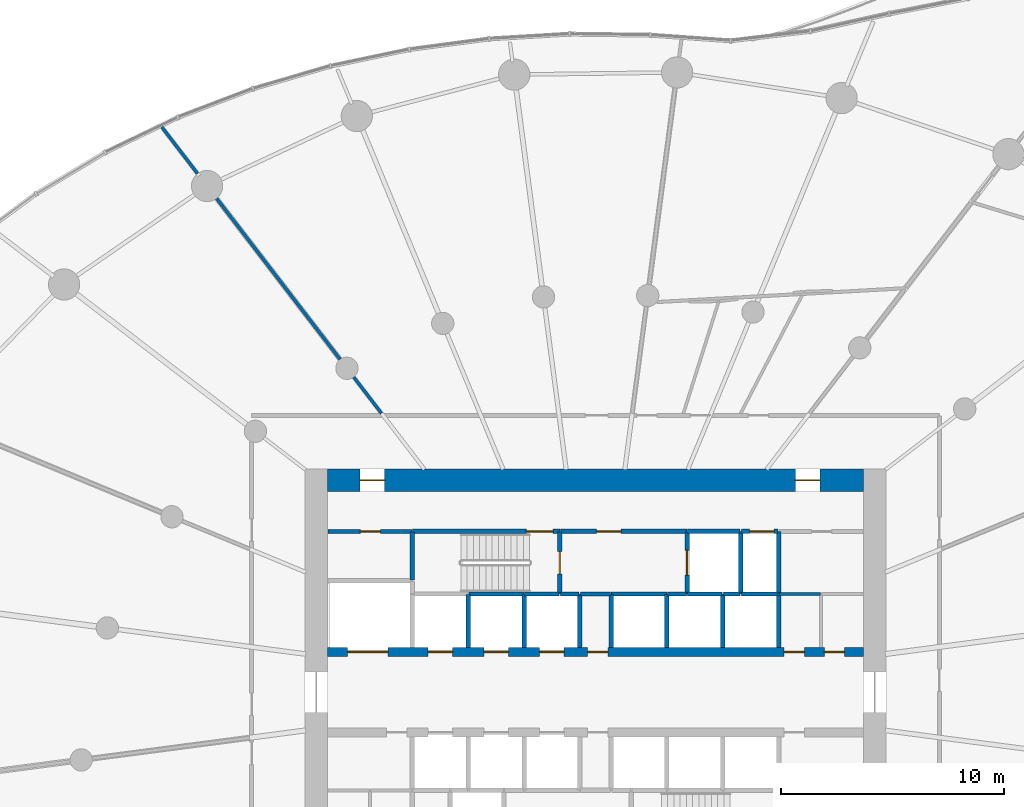
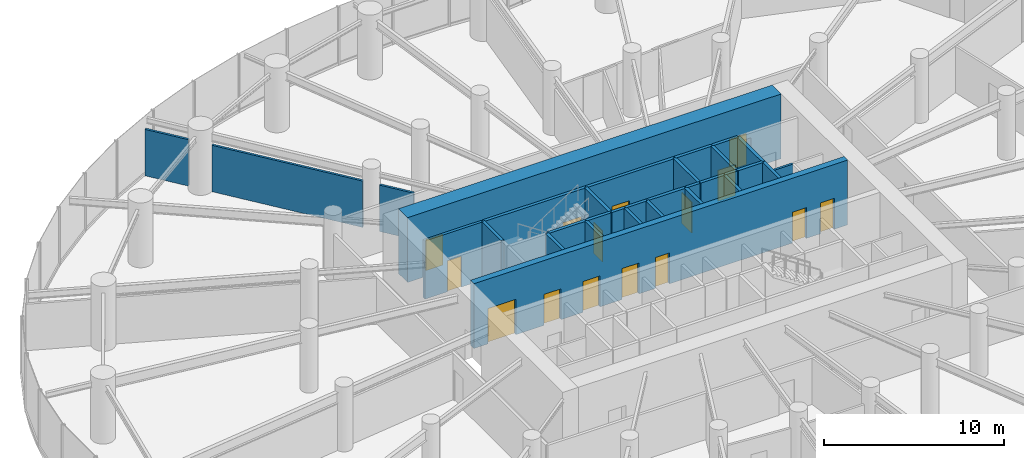
# One storey, part 14 of 21: 32 walls, 15 doors, 15 openings.
"""IFC4 building model written with IfcOpenShell, lengths in metres."""

from ifc_helpers import new_model, si_unit, direction, frame, frame_2d, origin, place, context, subcontext, project, spatial, rectangle, extrude, source, transform, mapped, material, layer, layer_set, type_object, element, fill, save


model = new_model("IFC4")

# Units and contexts
model_context = context("Model", 3, precision=1e-05, world=origin(), true_north=direction((0.0, 1.0)))
body_context = subcontext(model_context, "Body", "Model", "MODEL_VIEW")
ifc_project = project(units=[si_unit("LENGTHUNIT", "METRE"), si_unit("AREAUNIT", "SQUARE_METRE"), si_unit("VOLUMEUNIT", "CUBIC_METRE"), si_unit("PLANEANGLEUNIT", "RADIAN"), si_unit("MASSUNIT", "GRAM", prefix="KILO")], contexts=[model_context])

# Site, building, storey
site_placement = place(None, origin())
site = spatial("IfcSite", under=ifc_project, at=site_placement, CompositionType="ELEMENT")
building_placement = place(site_placement, origin())
building = spatial("IfcBuilding", under=site, at=building_placement, Name="Spindrift Exchange Tower", CompositionType="ELEMENT")
storey_placement = place(building_placement, frame((0.0, 0.0, 9.39990234375)))
storey = spatial("IfcBuildingStorey", under=building, at=storey_placement, Name="L02", CompositionType="ELEMENT", Elevation=9.39990234375)

# Wall, openings, doors
ifc_material_1 = material(Name="Concrete 80 MPa", Category="concrete")
ifc_layer_1 = layer(ifc_material_1, 1.0)
ifc_layer_set_1 = layer_set([ifc_layer_1], Name="RC Core Wall 1000 Concrete 80 MPa")
wall_type_1 = type_object("IfcWallType", Name="RC Core Wall 1000 Concrete 80 MPa", PredefinedType="SHEAR", material=ifc_layer_set_1)
wall_1_placement = place(storey_placement, frame((64.0, 57.5, 0.0), z_axis=(0.0, 0.0, 1.0), x_axis=(-1.0, 0.0, 0.0)))
wall_1 = element("IfcWall", 1, at=wall_1_placement, inside=storey, type_object=wall_type_1, Name="Core wall N L02", PredefinedType="SHEAR", context=body_context, shape_type="SweptSolid", body=[
    extrude(rectangle(XDim=24.0, YDim=1.0, at=frame_2d((12.0, 0.0))), origin(), (0.0, 0.0, 1.0), 4.400146484375),
])
opening_1_placement = place(wall_1_placement, frame((21.449951171875, 0.0, 0.0)))
opening_1 = element("IfcOpeningElement", 2, at=opening_1_placement, cuts=wall_1, Name="Opening L02-D20", PredefinedType="OPENING", context=body_context, shape_type="SweptSolid", body=[
    extrude(rectangle(XDim=1.10009765625, YDim=2.10009765625, at=frame_2d((0.550048828125, 1.050048828125))), frame((0.0, 0.510009765625, 0.0), z_axis=(0.0, -1.0, 0.0), x_axis=(1.0, 0.0, 0.0)), (0.0, 0.0, 1.0), 1.02001953125),
])
opening_2_placement = place(wall_1_placement, frame((1.949951171875, 0.0, 0.0)))
opening_2 = element("IfcOpeningElement", 3, at=opening_2_placement, cuts=wall_1, Name="Opening L02-D21", PredefinedType="OPENING", context=body_context, shape_type="SweptSolid", body=[
    extrude(rectangle(XDim=1.10009765625, YDim=2.10009765625, at=frame_2d((0.550048828125, 1.050048828125))), frame((0.0, 0.510009765625, 0.0), z_axis=(0.0, -1.0, 0.0), x_axis=(1.0, 0.0, 0.0)), (0.0, 0.0, 1.0), 1.02001953125),
])
ifc_material_2 = material(Name="Steel fire door", Category="steel")
door_type_1 = type_object("IfcDoorType", Name="DR-STAIR-1100", OperationType="NOTDEFINED", PredefinedType="DOOR", material=ifc_material_2)
shared_shape_1 = source(origin(), body_context, "Body", "SweptSolid", [
    extrude(rectangle(XDim=1.10009765625, YDim=2.10009765625, at=frame_2d((0.550048828125, 1.050048828125))), frame((0.0, 0.02490234375, 0.0), z_axis=(0.0, -1.0, 0.0), x_axis=(1.0, 0.0, 0.0)), (0.0, 0.0, 1.0), 0.050048828125),
])
door_1_placement = place(opening_1_placement, origin())
door_1 = element("IfcDoor", 4, at=door_1_placement, inside=storey, type_object=door_type_1, Name="L02 Stair door 20", OperationType="SINGLE_SWING_RIGHT", OverallHeight=2.10009765625, OverallWidth=1.10009765625, PredefinedType="DOOR", context=body_context, shape_type="MappedRepresentation", body=[
    mapped(shared_shape_1, transform((0.0, 0.0, 0.0), scale=1.0)),
])
fill(opening_1, door_1)
door_2_placement = place(opening_2_placement, origin())
door_2 = element("IfcDoor", 5, at=door_2_placement, inside=storey, type_object=door_type_1, Name="L02 Stair door 21", OperationType="SINGLE_SWING_LEFT", OverallHeight=2.10009765625, OverallWidth=1.10009765625, PredefinedType="DOOR", context=body_context, shape_type="MappedRepresentation", body=[
    mapped(shared_shape_1, transform((0.0, 0.0, 0.0), scale=1.0)),
])
fill(opening_2, door_2)

ifc_layer_2 = layer(ifc_material_1, 0.39990234375)
ifc_layer_set_2 = layer_set([ifc_layer_2], Name="RC Spine Wall 400 Concrete 80 MPa")
wall_type_2 = type_object("IfcWallType", Name="RC Spine Wall 400 Concrete 80 MPa", PredefinedType="SHEAR", material=ifc_layer_set_2)
wall_2_placement = place(storey_placement, frame((40.0, 49.800048828125, 0.0), z_axis=(0.0, 0.0, 1.0), x_axis=(1.0, 0.0, 0.0)))
wall_2 = element("IfcWall", 6, at=wall_2_placement, inside=storey, type_object=wall_type_2, Name="Core spine wall N L02", PredefinedType="SHEAR", context=body_context, shape_type="SweptSolid", body=[
    extrude(rectangle(XDim=24.0, YDim=0.39990234375, at=frame_2d((12.0, 0.0))), origin(), (0.0, 0.0, 1.0), 4.400146484375),
])
opening_3_placement = place(wall_2_placement, frame((4.5, 0.0, 0.0)))
opening_3 = element("IfcOpeningElement", 7, at=opening_3_placement, cuts=wall_2, Name="Opening L02-D3", PredefinedType="OPENING", context=body_context, shape_type="SweptSolid", body=[
    extrude(rectangle(XDim=1.10009765625, YDim=2.10009765625, at=frame_2d((0.550048828125, 1.050048828125))), frame((0.0, 0.2099609375, 0.0), z_axis=(0.0, -1.0, 0.0), x_axis=(1.0, 0.0, 0.0)), (0.0, 0.0, 1.0), 0.419921875),
])
opening_4_placement = place(wall_2_placement, frame((7.0, 0.0, 0.0)))
opening_4 = element("IfcOpeningElement", 8, at=opening_4_placement, cuts=wall_2, Name="Opening L02-D4", PredefinedType="OPENING", context=body_context, shape_type="SweptSolid", body=[
    extrude(rectangle(XDim=1.10009765625, YDim=2.10009765625, at=frame_2d((0.550048828125, 1.050048828125))), frame((0.0, 0.2099609375, 0.0), z_axis=(0.0, -1.0, 0.0), x_axis=(1.0, 0.0, 0.0)), (0.0, 0.0, 1.0), 0.419921875),
])
opening_5_placement = place(wall_2_placement, frame((9.5, 0.0, 0.0)))
opening_5 = element("IfcOpeningElement", 9, at=opening_5_placement, cuts=wall_2, Name="Opening L02-D5", PredefinedType="OPENING", context=body_context, shape_type="SweptSolid", body=[
    extrude(rectangle(XDim=1.10009765625, YDim=2.10009765625, at=frame_2d((0.550048828125, 1.050048828125))), frame((0.0, 0.2099609375, 0.0), z_axis=(0.0, -1.0, 0.0), x_axis=(1.0, 0.0, 0.0)), (0.0, 0.0, 1.0), 0.419921875),
])
opening_6_placement = place(wall_2_placement, frame((0.89990234375, 0.0, 0.0)))
opening_6 = element("IfcOpeningElement", 10, at=opening_6_placement, cuts=wall_2, Name="Opening L02-D12", PredefinedType="OPENING", context=body_context, shape_type="SweptSolid", body=[
    extrude(rectangle(XDim=1.800048828125, YDim=2.39990234375, at=frame_2d((0.89990234375, 1.199951171875))), frame((0.0, 0.2099609375, 0.0), z_axis=(0.0, -1.0, 0.0), x_axis=(1.0, 0.0, 0.0)), (0.0, 0.0, 1.0), 0.419921875),
])
opening_7_placement = place(wall_2_placement, frame((20.449951171875, 0.0, 0.0)))
opening_7 = element("IfcOpeningElement", 11, at=opening_7_placement, cuts=wall_2, Name="Opening L02-D49", PredefinedType="OPENING", context=body_context, shape_type="SweptSolid", body=[
    extrude(rectangle(XDim=0.89990234375, YDim=2.10009765625, at=frame_2d((0.449951171875, 1.050048828125))), frame((0.0, 0.2099609375, 0.0), z_axis=(0.0, -1.0, 0.0), x_axis=(1.0, 0.0, 0.0)), (0.0, 0.0, 1.0), 0.419921875),
])
opening_8_placement = place(wall_2_placement, frame((22.25, 0.0, 0.0)))
opening_8 = element("IfcOpeningElement", 12, at=opening_8_placement, cuts=wall_2, Name="Opening L02-D50", PredefinedType="OPENING", context=body_context, shape_type="SweptSolid", body=[
    extrude(rectangle(XDim=0.89990234375, YDim=2.10009765625, at=frame_2d((0.449951171875, 1.050048828125))), frame((0.0, 0.2099609375, 0.0), z_axis=(0.0, -1.0, 0.0), x_axis=(1.0, 0.0, 0.0)), (0.0, 0.0, 1.0), 0.419921875),
])
opening_9_placement = place(wall_2_placement, frame((11.64990234375, 0.0, 0.0)))
opening_9 = element("IfcOpeningElement", 13, at=opening_9_placement, cuts=wall_2, Name="Opening L02-D55", PredefinedType="OPENING", context=body_context, shape_type="SweptSolid", body=[
    extrude(rectangle(XDim=0.89990234375, YDim=2.10009765625, at=frame_2d((0.449951171875, 1.050048828125))), frame((0.0, 0.2099609375, 0.0), z_axis=(0.0, -1.0, 0.0), x_axis=(1.0, 0.0, 0.0)), (0.0, 0.0, 1.0), 0.419921875),
])
ifc_material_3 = material(Name="Stainless steel landing door", Category="steel")
door_type_2 = type_object("IfcDoorType", Name="DR-LANDING-1100-SL", OperationType="DOUBLE_DOOR_SLIDING", PredefinedType="USERDEFINED", material=ifc_material_3)
shared_shape_2 = source(origin(), body_context, "Body", "SweptSolid", [
    extrude(rectangle(XDim=1.10009765625, YDim=2.10009765625, at=frame_2d((0.550048828125, 1.050048828125))), frame((0.0, 0.02490234375, 0.0), z_axis=(0.0, -1.0, 0.0), x_axis=(1.0, 0.0, 0.0)), (0.0, 0.0, 1.0), 0.050048828125),
])
door_3_placement = place(opening_3_placement, origin())
door_3 = element("IfcDoor", 14, at=door_3_placement, inside=storey, type_object=door_type_2, Name="L02 Lift landing door 3", ObjectType="LANDING DOOR", OperationType="DOUBLE_DOOR_SLIDING", OverallHeight=2.10009765625, OverallWidth=1.10009765625, PredefinedType="USERDEFINED", context=body_context, shape_type="MappedRepresentation", body=[
    mapped(shared_shape_2, transform((0.0, 0.0, 0.0), scale=1.0)),
])
fill(opening_3, door_3)
door_4_placement = place(opening_4_placement, origin())
door_4 = element("IfcDoor", 15, at=door_4_placement, inside=storey, type_object=door_type_2, Name="L02 Lift landing door 4", ObjectType="LANDING DOOR", OperationType="DOUBLE_DOOR_SLIDING", OverallHeight=2.10009765625, OverallWidth=1.10009765625, PredefinedType="USERDEFINED", context=body_context, shape_type="MappedRepresentation", body=[
    mapped(shared_shape_2, transform((0.0, 0.0, 0.0), scale=1.0)),
])
fill(opening_4, door_4)
door_5_placement = place(opening_5_placement, origin())
door_5 = element("IfcDoor", 16, at=door_5_placement, inside=storey, type_object=door_type_2, Name="L02 Lift landing door 5", ObjectType="LANDING DOOR", OperationType="DOUBLE_DOOR_SLIDING", OverallHeight=2.10009765625, OverallWidth=1.10009765625, PredefinedType="USERDEFINED", context=body_context, shape_type="MappedRepresentation", body=[
    mapped(shared_shape_2, transform((0.0, 0.0, 0.0), scale=1.0)),
])
fill(opening_5, door_5)
door_type_3 = type_object("IfcDoorType", Name="DR-LANDING-1800-SL", OperationType="DOUBLE_DOOR_SLIDING", PredefinedType="USERDEFINED", material=ifc_material_3)
shared_shape_3 = source(origin(), body_context, "Body", "SweptSolid", [
    extrude(rectangle(XDim=1.800048828125, YDim=2.39990234375, at=frame_2d((0.89990234375, 1.199951171875))), frame((0.0, 0.02490234375, 0.0), z_axis=(0.0, -1.0, 0.0), x_axis=(1.0, 0.0, 0.0)), (0.0, 0.0, 1.0), 0.050048828125),
])
door_6_placement = place(opening_6_placement, origin())
door_6 = element("IfcDoor", 17, at=door_6_placement, inside=storey, type_object=door_type_3, Name="L02 Lift landing door 12", ObjectType="LANDING DOOR", OperationType="DOUBLE_DOOR_SLIDING", OverallHeight=2.39990234375, OverallWidth=1.800048828125, PredefinedType="USERDEFINED", context=body_context, shape_type="MappedRepresentation", body=[
    mapped(shared_shape_3, transform((0.0, 0.0, 0.0), scale=1.0)),
])
fill(opening_6, door_6)
ifc_material_4 = material(Name="Steel access door", Category="steel")
door_type_4 = type_object("IfcDoorType", Name="DR-RISER-900", OperationType="NOTDEFINED", PredefinedType="DOOR", material=ifc_material_4)
shared_shape_4 = source(origin(), body_context, "Body", "SweptSolid", [
    extrude(rectangle(XDim=0.89990234375, YDim=2.10009765625, at=frame_2d((0.449951171875, 1.050048828125))), frame((0.0, 0.02490234375, 0.0), z_axis=(0.0, -1.0, 0.0), x_axis=(1.0, 0.0, 0.0)), (0.0, 0.0, 1.0), 0.050048828125),
])
door_7_placement = place(opening_7_placement, origin())
door_7 = element("IfcDoor", 18, at=door_7_placement, inside=storey, type_object=door_type_4, Name="L02 Riser door 49", OperationType="SINGLE_SWING_LEFT", OverallHeight=2.10009765625, OverallWidth=0.89990234375, PredefinedType="DOOR", context=body_context, shape_type="MappedRepresentation", body=[
    mapped(shared_shape_4, transform((0.0, 0.0, 0.0), scale=1.0)),
])
fill(opening_7, door_7)
door_8_placement = place(opening_8_placement, origin())
door_8 = element("IfcDoor", 19, at=door_8_placement, inside=storey, type_object=door_type_4, Name="L02 Riser door 50", OperationType="SINGLE_SWING_RIGHT", OverallHeight=2.10009765625, OverallWidth=0.89990234375, PredefinedType="DOOR", context=body_context, shape_type="MappedRepresentation", body=[
    mapped(shared_shape_4, transform((0.0, 0.0, 0.0), scale=1.0)),
])
fill(opening_8, door_8)
door_9_placement = place(opening_9_placement, origin())
door_9 = element("IfcDoor", 20, at=door_9_placement, inside=storey, type_object=door_type_4, Name="L02 Riser door 55", OperationType="SINGLE_SWING_LEFT", OverallHeight=2.10009765625, OverallWidth=0.89990234375, PredefinedType="DOOR", context=body_context, shape_type="MappedRepresentation", body=[
    mapped(shared_shape_4, transform((0.0, 0.0, 0.0), scale=1.0)),
])
fill(opening_9, door_9)

# Wall, opening, door
ifc_material_5 = material(Name="Fire-rated plasterboard partition", Category="gypsum")
ifc_layer_3 = layer(ifc_material_5, 0.179931640625)
ifc_layer_set_3 = layer_set([ifc_layer_3], Name="W-CORR-180")
wall_type_3 = type_object("IfcWallType", Name="W-CORR-180", PredefinedType="PARTITIONING", material=ifc_layer_set_3)
wall_3_placement = place(storey_placement, frame((43.77001953125, 55.199951171875, 0.0), z_axis=(0.0, 0.0, 1.0), x_axis=(-1.0, 0.0, 0.0)))
wall_3 = element("IfcWall", 21, at=wall_3_placement, inside=storey, type_object=wall_type_3, Name="L02 Partition wall 66", PredefinedType="PARTITIONING", context=body_context, shape_type="SweptSolid", body=[
    extrude(rectangle(XDim=3.75, YDim=0.179931640625, at=frame_2d((1.875, 0.0))), origin(), (0.0, 0.0, 1.0), 3.9501953125),
])
opening_10_placement = place(wall_3_placement, frame((1.39990234375, 0.0, 0.0)))
opening_10 = element("IfcOpeningElement", 22, at=opening_10_placement, cuts=wall_3, Name="Opening L02-D45", PredefinedType="OPENING", context=body_context, shape_type="SweptSolid", body=[
    extrude(rectangle(XDim=0.89990234375, YDim=2.10009765625, at=frame_2d((0.449951171875, 1.050048828125))), frame((0.0, 0.099853515625, 0.0), z_axis=(0.0, -1.0, 0.0), x_axis=(1.0, 0.0, 0.0)), (0.0, 0.0, 1.0), 0.199951171875),
])
door_10_placement = place(opening_10_placement, origin())
door_10 = element("IfcDoor", 23, at=door_10_placement, inside=storey, type_object=door_type_4, Name="L02 Riser door 45", OperationType="SINGLE_SWING_LEFT", OverallHeight=2.10009765625, OverallWidth=0.89990234375, PredefinedType="DOOR", context=body_context, shape_type="MappedRepresentation", body=[
    mapped(shared_shape_4, transform((0.0, 0.0, 0.0), scale=1.0)),
])
fill(opening_10, door_10)

# Walls
ifc_layer_4 = layer(ifc_material_5, 0.139892578125)
ifc_layer_set_4 = layer_set([ifc_layer_4], Name="W-PART-140")
wall_type_4 = type_object("IfcWallType", Name="W-PART-140", PredefinedType="PARTITIONING", material=ifc_layer_set_4)
wall_4_placement = place(storey_placement, frame((62.070068359375, 52.39990234375, 0.0), z_axis=(0.0, 0.0, 1.0), x_axis=(-1.0, 0.0, 0.0)))
element("IfcWall", 24, at=wall_4_placement, inside=storey, type_object=wall_type_4, Name="L02 Partition wall 124", PredefinedType="PARTITIONING", context=body_context, shape_type="SweptSolid", body=[
    extrude(rectangle(XDim=1.840087890625, YDim=0.139892578125, at=frame_2d((0.919921875, 0.0))), origin(), (0.0, 0.0, 1.0), 3.150146484375),
])
ifc_layer_5 = layer(ifc_material_5, 0.139892578125)
ifc_layer_set_5 = layer_set([ifc_layer_5], Name="W-PLANT-140")
wall_type_5 = type_object("IfcWallType", Name="W-PLANT-140", PredefinedType="PARTITIONING", material=ifc_layer_set_5)
wall_5_placement = place(storey_placement, frame((40.55908203125, 62.91015625, 0.0), z_axis=(0.0, 0.0, 1.0), x_axis=(-0.608770769454, 0.793346173028, 0.0)))
element("IfcWall", 25, at=wall_5_placement, inside=storey, type_object=wall_type_5, Name="L02 Partition wall 76", PredefinedType="PARTITIONING", context=body_context, shape_type="SweptSolid", body=[
    extrude(rectangle(XDim=9.0791015625, YDim=0.139892578125, at=frame_2d((4.53955078125, 0.0))), origin(), (0.0, 0.0, 1.0), 3.150146484375),
])
wall_6_placement = place(storey_placement, frame((34.1748046875, 71.23046875, 0.0), z_axis=(0.0, 0.0, 1.0), x_axis=(-0.608811983243, 0.793314546104, 0.0)))
element("IfcWall", 26, at=wall_6_placement, inside=storey, type_object=wall_type_5, Name="L02 Partition wall 116", PredefinedType="PARTITIONING", context=body_context, shape_type="SweptSolid", body=[
    extrude(rectangle(XDim=2.626708984375, YDim=0.139892578125, at=frame_2d((1.3134765625, 0.0))), origin(), (0.0, 0.0, 1.0), 3.150146484375),
])
wall_7_placement = place(storey_placement, frame((42.416015625, 60.489990234375, 0.0), z_axis=(0.0, 0.0, 1.0), x_axis=(-0.608727763541, 0.793379171578, 0.0)))
element("IfcWall", 27, at=wall_7_placement, inside=storey, type_object=wall_type_5, Name="L02 Partition wall 119", PredefinedType="PARTITIONING", context=body_context, shape_type="SweptSolid", body=[
    extrude(rectangle(XDim=2.04150390625, YDim=0.139892578125, at=frame_2d((1.020751953125, 0.0))), origin(), (0.0, 0.0, 1.0), 3.150146484375),
])

# Wall, opening, door
ifc_material_6 = material(Name="Concrete 40 MPa", Category="concrete")
ifc_layer_6 = layer(ifc_material_6, 0.199951171875)
ifc_layer_set_6 = layer_set([ifc_layer_6], Name="W-SHAFT-200")
wall_type_6 = type_object("IfcWallType", Name="W-SHAFT-200", PredefinedType="SOLIDWALL", material=ifc_layer_set_6)
wall_8_placement = place(storey_placement, frame((56.10009765625, 55.169921875, 0.0), z_axis=(0.0, 0.0, 1.0), x_axis=(0.0, -1.0, 0.0)))
wall_8 = element("IfcWall", 28, at=wall_8_placement, inside=storey, type_object=wall_type_6, Name="L02 Shaft wall 14", PredefinedType="SOLIDWALL", context=body_context, shape_type="SweptSolid", body=[
    extrude(rectangle(XDim=2.77001953125, YDim=0.199951171875, at=frame_2d((1.385009765625, 0.0))), origin(), (0.0, 0.0, 1.0), 3.9501953125),
])
opening_11_placement = place(wall_8_placement, frame((0.820068359375, 0.0, 0.0)))
opening_11 = element("IfcOpeningElement", 29, at=opening_11_placement, cuts=wall_8, Name="Opening L02-D9", PredefinedType="OPENING", context=body_context, shape_type="SweptSolid", body=[
    extrude(rectangle(XDim=1.10009765625, YDim=2.10009765625, at=frame_2d((0.550048828125, 1.050048828125))), frame((0.0, 0.10986328125, 0.0), z_axis=(0.0, -1.0, 0.0), x_axis=(1.0, 0.0, 0.0)), (0.0, 0.0, 1.0), 0.219970703125),
])
door_11_placement = place(opening_11_placement, origin())
door_11 = element("IfcDoor", 30, at=door_11_placement, inside=storey, type_object=door_type_2, Name="L02 Lift landing door 9", ObjectType="LANDING DOOR", OperationType="DOUBLE_DOOR_SLIDING", OverallHeight=2.10009765625, OverallWidth=1.10009765625, PredefinedType="USERDEFINED", context=body_context, shape_type="MappedRepresentation", body=[
    mapped(shared_shape_2, transform((0.0, 0.0, 0.0), scale=1.0)),
])
fill(opening_11, door_11)

# Walls
for number, where, z_axis, x_axis, name in (
    (31, (58.5, 52.39990234375, 0.0), (0.0, 0.0, 1.0), (0.0, 1.0, 0.0), "L02 Shaft wall 15"),
    (32, (60.199951171875, 52.39990234375, 0.0), (0.0, 0.0, 1.0), (0.0, 1.0, 0.0), "L02 Shaft wall 16"),
):
    element("IfcWall", number, at=place(storey_placement, frame(where, z_axis=z_axis, x_axis=x_axis)), inside=storey, type_object=wall_type_6, Name=name, PredefinedType="SOLIDWALL", context=body_context, shape_type="SweptSolid", body=[
        extrude(rectangle(XDim=2.800048828125, YDim=0.199951171875, at=frame_2d((1.39990234375, 0.0))), origin(), (0.0, 0.0, 1.0), 3.9501953125),
    ])
wall_9_placement = place(storey_placement, frame((55.199951171875, 52.39990234375, 0.0), z_axis=(0.0, 0.0, 1.0), x_axis=(-1.0, 0.0, 0.0)))
element("IfcWall", 33, at=wall_9_placement, inside=storey, type_object=wall_type_6, Name="L02 Shaft wall 22", PredefinedType="SOLIDWALL", context=body_context, shape_type="SweptSolid", body=[
    extrude(rectangle(XDim=2.5, YDim=0.199951171875, at=frame_2d((1.25, 0.0))), origin(), (0.0, 0.0, 1.0), 3.9501953125),
])
wall_10_placement = place(storey_placement, frame((58.469970703125, 55.199951171875, 0.0), z_axis=(0.0, 0.0, 1.0), x_axis=(-1.0, 0.0, 0.0)))
element("IfcWall", 34, at=wall_10_placement, inside=storey, type_object=wall_type_6, Name="L02 Shaft wall 26", PredefinedType="SOLIDWALL", context=body_context, shape_type="SweptSolid", body=[
    extrude(rectangle(XDim=2.340087890625, YDim=0.199951171875, at=frame_2d((1.169921875, 0.0))), origin(), (0.0, 0.0, 1.0), 3.9501953125),
])
wall_11_placement = place(storey_placement, frame((51.300048828125, 50.010009765625, 0.0), z_axis=(0.0, 0.0, 1.0), x_axis=(0.0, 1.0, 0.0)))
element("IfcWall", 35, at=wall_11_placement, inside=storey, type_object=wall_type_6, Name="L02 Shaft wall 34", PredefinedType="SOLIDWALL", context=body_context, shape_type="SweptSolid", body=[
    extrude(rectangle(XDim=2.389892578125, YDim=0.199951171875, at=frame_2d((1.19482421875, 0.0))), origin(), (0.0, 0.0, 1.0), 3.9501953125),
])
for number, where, z_axis, x_axis, name in (
    (36, (52.699951171875, 52.3701171875, 0.0), (0.0, 0.0, 1.0), (0.0, -1.0, 0.0), "L02 Shaft wall 36"),
    (37, (55.199951171875, 50.010009765625, 0.0), (0.0, 0.0, 1.0), (0.0, 1.0, 0.0), "L02 Shaft wall 38"),
):
    element("IfcWall", number, at=place(storey_placement, frame(where, z_axis=z_axis, x_axis=x_axis)), inside=storey, type_object=wall_type_6, Name=name, PredefinedType="SOLIDWALL", context=body_context, shape_type="SweptSolid", body=[
        extrude(rectangle(XDim=2.360107421875, YDim=0.199951171875, at=frame_2d((1.18017578125, 0.0))), origin(), (0.0, 0.0, 1.0), 3.9501953125),
    ])
wall_12_placement = place(storey_placement, frame((57.699951171875, 50.010009765625, 0.0), z_axis=(0.0, 0.0, 1.0), x_axis=(0.0, 1.0, 0.0)))
element("IfcWall", 38, at=wall_12_placement, inside=storey, type_object=wall_type_6, Name="L02 Shaft wall 40", PredefinedType="SOLIDWALL", context=body_context, shape_type="SweptSolid", body=[
    extrude(rectangle(XDim=2.389892578125, YDim=0.199951171875, at=frame_2d((1.19482421875, 0.0))), origin(), (0.0, 0.0, 1.0), 3.9501953125),
])
wall_13_placement = place(storey_placement, frame((60.199951171875, 50.010009765625, 0.0), z_axis=(0.0, 0.0, 1.0), x_axis=(0.0, 1.0, 0.0)))
element("IfcWall", 39, at=wall_13_placement, inside=storey, type_object=wall_type_6, Name="L02 Shaft wall 42", PredefinedType="SOLIDWALL", context=body_context, shape_type="SweptSolid", body=[
    extrude(rectangle(XDim=2.360107421875, YDim=0.199951171875, at=frame_2d((1.18017578125, 0.0))), origin(), (0.0, 0.0, 1.0), 3.9501953125),
])
wall_14_placement = place(storey_placement, frame((60.169921875, 52.39990234375, 0.0), z_axis=(0.0, 0.0, 1.0), x_axis=(-1.0, 0.0, 0.0)))
element("IfcWall", 40, at=wall_14_placement, inside=storey, type_object=wall_type_6, Name="L02 Shaft wall 46", PredefinedType="SOLIDWALL", context=body_context, shape_type="SweptSolid", body=[
    extrude(rectangle(XDim=1.639892578125, YDim=0.199951171875, at=frame_2d((0.81982421875, 0.0))), origin(), (0.0, 0.0, 1.0), 3.9501953125),
])

# Wall, opening, door
wall_15_placement = place(storey_placement, frame((60.169921875, 55.199951171875, 0.0), z_axis=(0.0, 0.0, 1.0), x_axis=(-1.0, 0.0, 0.0)))
wall_15 = element("IfcWall", 41, at=wall_15_placement, inside=storey, type_object=wall_type_6, Name="L02 Shaft wall 47", PredefinedType="SOLIDWALL", context=body_context, shape_type="SweptSolid", body=[
    extrude(rectangle(XDim=1.639892578125, YDim=0.199951171875, at=frame_2d((0.81982421875, 0.0))), origin(), (0.0, 0.0, 1.0), 3.9501953125),
])
opening_12_placement = place(wall_15_placement, frame((0.169921875, 0.0, 0.0)))
opening_12 = element("IfcOpeningElement", 42, at=opening_12_placement, cuts=wall_15, Name="Opening L02-D11", PredefinedType="OPENING", context=body_context, shape_type="SweptSolid", body=[
    extrude(rectangle(XDim=1.10009765625, YDim=2.10009765625, at=frame_2d((0.550048828125, 1.050048828125))), frame((0.0, 0.10986328125, 0.0), z_axis=(0.0, -1.0, 0.0), x_axis=(1.0, 0.0, 0.0)), (0.0, 0.0, 1.0), 0.219970703125),
])
door_12_placement = place(opening_12_placement, origin())
door_12 = element("IfcDoor", 43, at=door_12_placement, inside=storey, type_object=door_type_2, Name="L02 Lift landing door 11", ObjectType="LANDING DOOR", OperationType="DOUBLE_DOOR_SLIDING", OverallHeight=2.10009765625, OverallWidth=1.10009765625, PredefinedType="USERDEFINED", context=body_context, shape_type="MappedRepresentation", body=[
    mapped(shared_shape_2, transform((0.0, 0.0, 0.0), scale=1.0)),
])
fill(opening_12, door_12)

# Walls
wall_16_placement = place(storey_placement, frame((57.669921875, 52.39990234375, 0.0), z_axis=(0.0, 0.0, 1.0), x_axis=(-1.0, 0.0, 0.0)))
element("IfcWall", 44, at=wall_16_placement, inside=storey, type_object=wall_type_6, Name="L02 Shaft wall 51", PredefinedType="SOLIDWALL", context=body_context, shape_type="SweptSolid", body=[
    extrude(rectangle(XDim=1.5400390625, YDim=0.199951171875, at=frame_2d((0.77001953125, 0.0))), origin(), (0.0, 0.0, 1.0), 3.9501953125),
])
wall_17_placement = place(storey_placement, frame((51.330078125, 52.39990234375, 0.0), z_axis=(0.0, 0.0, 1.0), x_axis=(1.0, 0.0, 0.0)))
element("IfcWall", 45, at=wall_17_placement, inside=storey, type_object=wall_type_6, Name="L02 Shaft wall 53", PredefinedType="SOLIDWALL", context=body_context, shape_type="SweptSolid", body=[
    extrude(rectangle(XDim=1.33984375, YDim=0.199951171875, at=frame_2d((0.669921875, 0.0))), origin(), (0.0, 0.0, 1.0), 3.9501953125),
])
wall_18_placement = place(storey_placement, frame((56.070068359375, 52.39990234375, 0.0), z_axis=(0.0, 0.0, 1.0), x_axis=(-1.0, 0.0, 0.0)))
element("IfcWall", 46, at=wall_18_placement, inside=storey, type_object=wall_type_6, Name="L02 Shaft wall 57", PredefinedType="SOLIDWALL", context=body_context, shape_type="SweptSolid", body=[
    extrude(rectangle(XDim=0.840087890625, YDim=0.199951171875, at=frame_2d((0.419921875, 0.0))), origin(), (0.0, 0.0, 1.0), 3.9501953125),
])
wall_19_placement = place(storey_placement, frame((58.469970703125, 52.39990234375, 0.0), z_axis=(0.0, 0.0, 1.0), x_axis=(-1.0, 0.0, 0.0)))
element("IfcWall", 47, at=wall_19_placement, inside=storey, type_object=wall_type_6, Name="L02 Shaft wall 59", PredefinedType="SOLIDWALL", context=body_context, shape_type="SweptSolid", body=[
    extrude(rectangle(XDim=0.739990234375, YDim=0.199951171875, at=frame_2d((0.3701171875, 0.0))), origin(), (0.0, 0.0, 1.0), 3.9501953125),
])

# Wall, opening, door
ifc_layer_7 = layer(ifc_material_6, 0.199951171875)
ifc_layer_set_7 = layer_set([ifc_layer_7], Name="W-SHAFT-200-LB")
wall_type_7 = type_object("IfcWallType", Name="W-SHAFT-200-LB", PredefinedType="SOLIDWALL", material=ifc_layer_set_7)
wall_20_placement = place(storey_placement, frame((50.39990234375, 55.199951171875, 0.0), z_axis=(0.0, 0.0, 1.0), x_axis=(-1.0, 0.0, 0.0)))
wall_20 = element("IfcWall", 48, at=wall_20_placement, inside=storey, type_object=wall_type_7, Name="L02 Shaft wall 1", PredefinedType="SOLIDWALL", context=body_context, shape_type="SweptSolid", body=[
    extrude(rectangle(XDim=6.599853515625, YDim=0.199951171875, at=frame_2d((3.2998046875, 0.0))), origin(), (0.0, 0.0, 1.0), 3.9501953125),
])
opening_13_placement = place(wall_20_placement, frame((0.300048828125, 0.0, 0.0)))
opening_13 = element("IfcOpeningElement", 49, at=opening_13_placement, cuts=wall_20, Name="Opening L02-D13", PredefinedType="OPENING", context=body_context, shape_type="SweptSolid", body=[
    extrude(rectangle(XDim=1.199951171875, YDim=2.10009765625, at=frame_2d((0.60009765625, 1.050048828125))), frame((0.0, 0.10986328125, 0.0), z_axis=(0.0, -1.0, 0.0), x_axis=(1.0, 0.0, 0.0)), (0.0, 0.0, 1.0), 0.219970703125),
])
door_type_5 = type_object("IfcDoorType", Name="DR-STAIR-1200", OperationType="NOTDEFINED", PredefinedType="DOOR", material=ifc_material_2)
shared_shape_5 = source(origin(), body_context, "Body", "SweptSolid", [
    extrude(rectangle(XDim=1.199951171875, YDim=2.10009765625, at=frame_2d((0.60009765625, 1.050048828125))), frame((0.0, 0.02490234375, 0.0), z_axis=(0.0, -1.0, 0.0), x_axis=(1.0, 0.0, 0.0)), (0.0, 0.0, 1.0), 0.050048828125),
])
door_13_placement = place(opening_13_placement, origin())
door_13 = element("IfcDoor", 50, at=door_13_placement, inside=storey, type_object=door_type_5, Name="L02 Stair door 13", OperationType="SINGLE_SWING_LEFT", OverallHeight=2.10009765625, OverallWidth=1.199951171875, PredefinedType="DOOR", context=body_context, shape_type="MappedRepresentation", body=[
    mapped(shared_shape_5, transform((0.0, 0.0, 0.0), scale=1.0)),
])
fill(opening_13, door_13)

wall_21_placement = place(storey_placement, frame((56.10009765625, 55.199951171875, 0.0), z_axis=(0.0, 0.0, 1.0), x_axis=(-1.0, 0.0, 0.0)))
wall_21 = element("IfcWall", 51, at=wall_21_placement, inside=storey, type_object=wall_type_7, Name="L02 Shaft wall 6", PredefinedType="SOLIDWALL", context=body_context, shape_type="SweptSolid", body=[
    extrude(rectangle(XDim=5.670166015625, YDim=0.199951171875, at=frame_2d((2.8349609375, 0.0))), origin(), (0.0, 0.0, 1.0), 3.9501953125),
])
opening_14_placement = place(wall_21_placement, frame((2.949951171875, 0.0, 0.0)))
opening_14 = element("IfcOpeningElement", 52, at=opening_14_placement, cuts=wall_21, Name="Opening L02-D15", PredefinedType="OPENING", context=body_context, shape_type="SweptSolid", body=[
    extrude(rectangle(XDim=1.10009765625, YDim=2.10009765625, at=frame_2d((0.550048828125, 1.050048828125))), frame((0.0, 0.10986328125, 0.0), z_axis=(0.0, -1.0, 0.0), x_axis=(1.0, 0.0, 0.0)), (0.0, 0.0, 1.0), 0.219970703125),
])
ifc_material_7 = material(Name="Timber-core fire door", Category="wood")
door_type_6 = type_object("IfcDoorType", Name="DR-LOBBY-1100", OperationType="NOTDEFINED", PredefinedType="DOOR", material=ifc_material_7)
shared_shape_6 = source(origin(), body_context, "Body", "SweptSolid", [
    extrude(rectangle(XDim=1.10009765625, YDim=2.10009765625, at=frame_2d((0.550048828125, 1.050048828125))), frame((0.0, 0.02490234375, 0.0), z_axis=(0.0, -1.0, 0.0), x_axis=(1.0, 0.0, 0.0)), (0.0, 0.0, 1.0), 0.050048828125),
])
door_14_placement = place(opening_14_placement, origin())
door_14 = element("IfcDoor", 53, at=door_14_placement, inside=storey, type_object=door_type_6, Name="L02 Lobby door 15", OperationType="SINGLE_SWING_LEFT", OverallHeight=2.10009765625, OverallWidth=1.10009765625, PredefinedType="DOOR", context=body_context, shape_type="MappedRepresentation", body=[
    mapped(shared_shape_6, transform((0.0, 0.0, 0.0), scale=1.0)),
])
fill(opening_14, door_14)

wall_22_placement = place(storey_placement, frame((50.39990234375, 52.39990234375, 0.0), z_axis=(0.0, 0.0, 1.0), x_axis=(0.0, 1.0, 0.0)))
wall_22 = element("IfcWall", 54, at=wall_22_placement, inside=storey, type_object=wall_type_7, Name="L02 Shaft wall 11", PredefinedType="SOLIDWALL", context=body_context, shape_type="SweptSolid", body=[
    extrude(rectangle(XDim=2.77001953125, YDim=0.199951171875, at=frame_2d((1.385009765625, 0.0))), origin(), (0.0, 0.0, 1.0), 3.9501953125),
])
opening_15_placement = place(wall_22_placement, frame((0.89990234375, 0.0, 0.0)))
opening_15 = element("IfcOpeningElement", 55, at=opening_15_placement, cuts=wall_22, Name="Opening L02-D14", PredefinedType="OPENING", context=body_context, shape_type="SweptSolid", body=[
    extrude(rectangle(XDim=1.0, YDim=2.10009765625, at=frame_2d((0.5, 1.050048828125))), frame((0.0, 0.10986328125, 0.0), z_axis=(0.0, -1.0, 0.0), x_axis=(1.0, 0.0, 0.0)), (0.0, 0.0, 1.0), 0.219970703125),
])
door_type_7 = type_object("IfcDoorType", Name="DR-STAIR-1000", OperationType="NOTDEFINED", PredefinedType="DOOR", material=ifc_material_2)
shared_shape_7 = source(origin(), body_context, "Body", "SweptSolid", [
    extrude(rectangle(XDim=1.0, YDim=2.10009765625, at=frame_2d((0.5, 1.050048828125))), frame((0.0, 0.02490234375, 0.0), z_axis=(0.0, -1.0, 0.0), x_axis=(1.0, 0.0, 0.0)), (0.0, 0.0, 1.0), 0.050048828125),
])
door_15_placement = place(opening_15_placement, origin())
door_15 = element("IfcDoor", 56, at=door_15_placement, inside=storey, type_object=door_type_7, Name="L02 Stair door 14", OperationType="SINGLE_SWING_RIGHT", OverallHeight=2.10009765625, OverallWidth=1.0, PredefinedType="DOOR", context=body_context, shape_type="MappedRepresentation", body=[
    mapped(shared_shape_7, transform((0.0, 0.0, 0.0), scale=1.0)),
])
fill(opening_15, door_15)

# Walls
wall_23_placement = place(storey_placement, frame((48.800048828125, 52.39990234375, 0.0), z_axis=(0.0, 0.0, 1.0), x_axis=(-1.0, 0.0, 0.0)))
element("IfcWall", 57, at=wall_23_placement, inside=storey, type_object=wall_type_7, Name="L02 Shaft wall 20", PredefinedType="SOLIDWALL", context=body_context, shape_type="SweptSolid", body=[
    extrude(rectangle(XDim=2.469970703125, YDim=0.199951171875, at=frame_2d((1.23486328125, 0.0))), origin(), (0.0, 0.0, 1.0), 3.9501953125),
])
for number, where, z_axis, x_axis, name in (
    (58, (46.300048828125, 50.010009765625, 0.0), (0.0, 0.0, 1.0), (0.0, 1.0, 0.0), "L02 Shaft wall 30"),
    (59, (48.800048828125, 50.010009765625, 0.0), (0.0, 0.0, 1.0), (0.0, 1.0, 0.0), "L02 Shaft wall 32"),
):
    element("IfcWall", number, at=place(storey_placement, frame(where, z_axis=z_axis, x_axis=x_axis)), inside=storey, type_object=wall_type_7, Name=name, PredefinedType="SOLIDWALL", context=body_context, shape_type="SweptSolid", body=[
        extrude(rectangle(XDim=2.360107421875, YDim=0.199951171875, at=frame_2d((1.18017578125, 0.0))), origin(), (0.0, 0.0, 1.0), 3.9501953125),
    ])
wall_24_placement = place(storey_placement, frame((43.800048828125, 55.169921875, 0.0), z_axis=(0.0, 0.0, 1.0), x_axis=(0.0, -1.0, 0.0)))
element("IfcWall", 60, at=wall_24_placement, inside=storey, type_object=wall_type_7, Name="L02 Shaft wall 43", PredefinedType="SOLIDWALL", context=body_context, shape_type="SweptSolid", body=[
    extrude(rectangle(XDim=2.139892578125, YDim=0.199951171875, at=frame_2d((1.06982421875, 0.0))), origin(), (0.0, 0.0, 1.0), 3.9501953125),
])
wall_25_placement = place(storey_placement, frame((50.3701171875, 52.39990234375, 0.0), z_axis=(0.0, 0.0, 1.0), x_axis=(-1.0, 0.0, 0.0)))
element("IfcWall", 61, at=wall_25_placement, inside=storey, type_object=wall_type_7, Name="L02 Shaft wall 49", PredefinedType="SOLIDWALL", context=body_context, shape_type="SweptSolid", body=[
    extrude(rectangle(XDim=1.5400390625, YDim=0.199951171875, at=frame_2d((0.77001953125, 0.0))), origin(), (0.0, 0.0, 1.0), 3.9501953125),
])
wall_26_placement = place(storey_placement, frame((51.27001953125, 52.39990234375, 0.0), z_axis=(0.0, 0.0, 1.0), x_axis=(-1.0, 0.0, 0.0)))
element("IfcWall", 62, at=wall_26_placement, inside=storey, type_object=wall_type_7, Name="L02 Shaft wall 55", PredefinedType="SOLIDWALL", context=body_context, shape_type="SweptSolid", body=[
    extrude(rectangle(XDim=0.840087890625, YDim=0.199951171875, at=frame_2d((0.419921875, 0.0))), origin(), (0.0, 0.0, 1.0), 3.9501953125),
])

save(model, "model.ifc")
